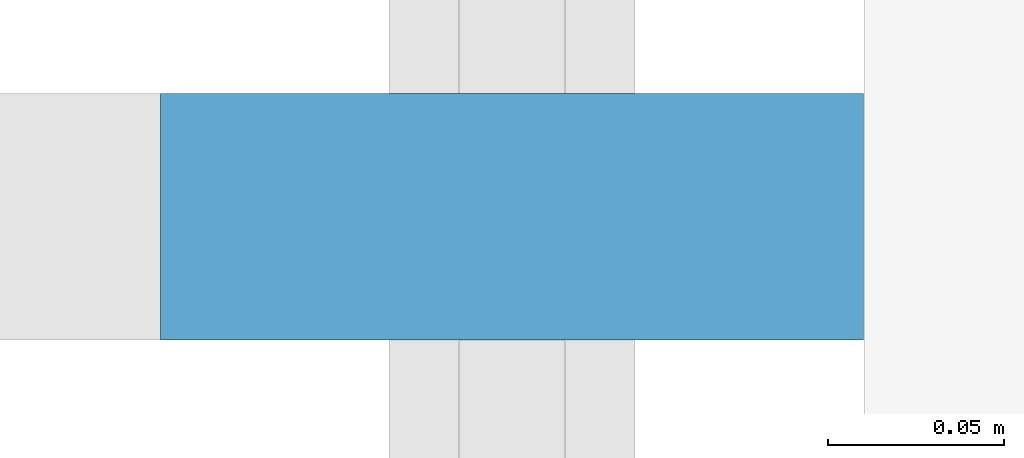
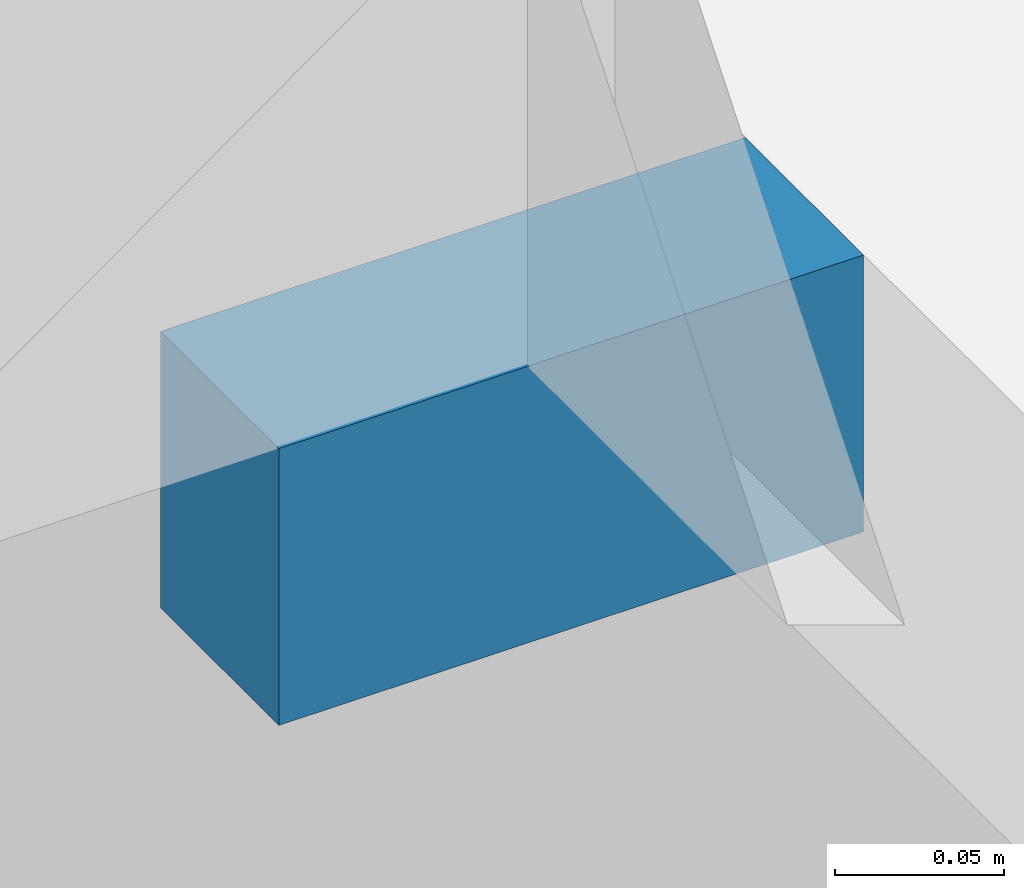
# One storey, part 12 of 16: 1 discrete accessory.
"""IFC4 building model written with IfcOpenShell, lengths in metres."""

from ifc_helpers import new_model, si_unit, direction, frame, origin, origin_2d, place, context, subcontext, project, spatial, rectangle, extrude, element, save


model = new_model("IFC4")

# Units and contexts
model_context = context("Model", 3, precision=1e-05, world=origin(), true_north=direction((0.0, 1.0)))
body_context = subcontext(model_context, "Body", "Model", "MODEL_VIEW")
ifc_project = project(units=[si_unit("LENGTHUNIT", "METRE"), si_unit("AREAUNIT", "SQUARE_METRE"), si_unit("VOLUMEUNIT", "CUBIC_METRE"), si_unit("PLANEANGLEUNIT", "RADIAN"), si_unit("MASSUNIT", "GRAM", prefix="KILO")], contexts=[model_context])

# Site, building, storey
site_placement = place(None, origin())
site = spatial("IfcSite", under=ifc_project, at=site_placement, CompositionType="ELEMENT")
building_placement = place(site_placement, origin())
building = spatial("IfcBuilding", under=site, at=building_placement, Name="Daluyong Arena Tower", CompositionType="ELEMENT")
storey_placement = place(building_placement, frame((0.0, 0.0, 227.5)))
storey = spatial("IfcBuildingStorey", under=building, at=storey_placement, Name="L51", CompositionType="ELEMENT", Elevation=227.5)

# Discrete accessory
discrete_accessory_placement = place(storey_placement, frame((34.25, 87.386474609375, -0.10009765625), z_axis=(0.0, 0.0, 1.0), x_axis=(0.0, -1.0, 0.0)))
element("IfcDiscreteAccessory", 1, at=discrete_accessory_placement, inside=storey, Name="curtain wall L51 W anchor bracket 4", PredefinedType="BRACKET", context=body_context, shape_type="SweptSolid", body=[
    extrude(rectangle(XDim=0.070068359375, YDim=0.199951171875, at=origin_2d()), origin(), (0.0, 0.0, 1.0), 0.10009765625),
])

save(model, "model.ifc")
